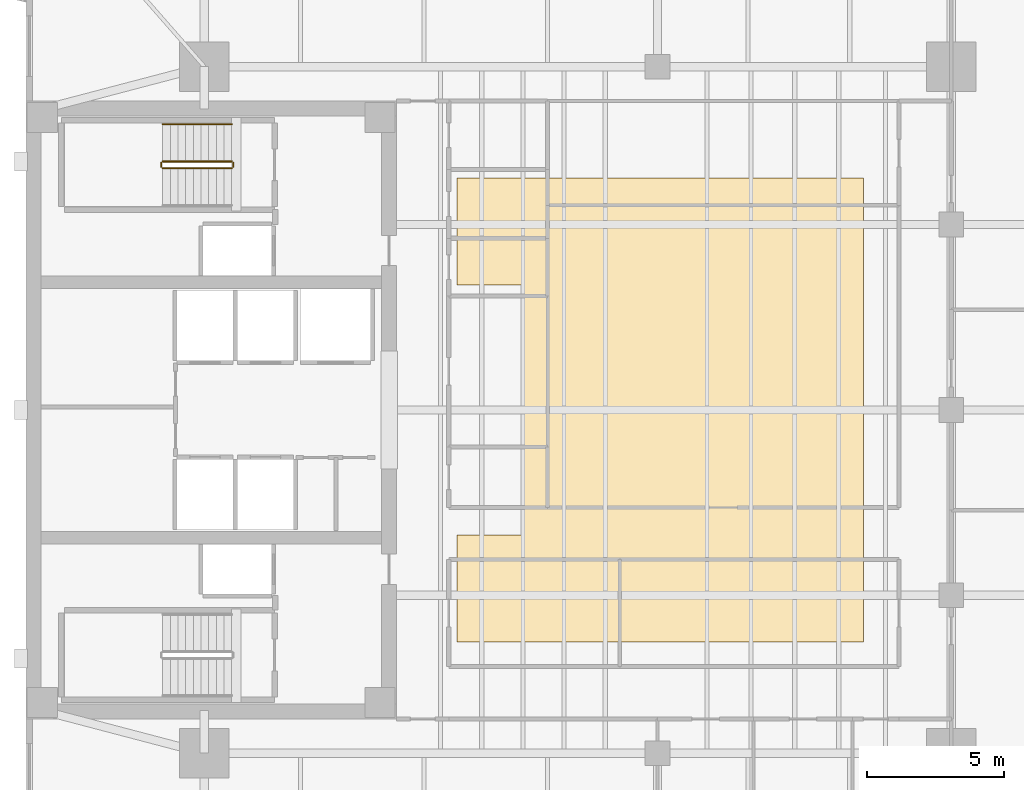
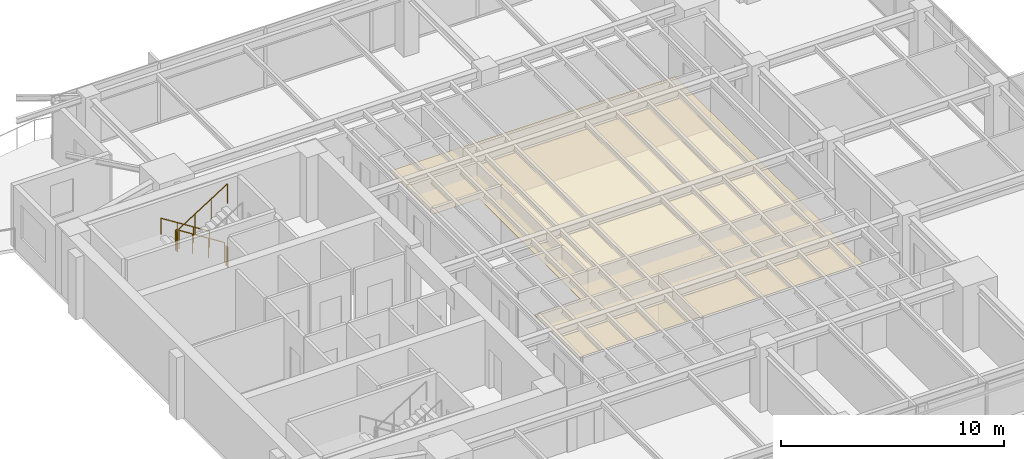
# One storey, part 13 of 14: 5 railings, 1 covering.
"""IFC4 building model written with IfcOpenShell, lengths in metres."""

from ifc_helpers import new_model, si_unit, direction, frame, origin, origin_2d, place, context, subcontext, project, spatial, polyline, circle, outline, extrude, material, layer, layer_set, type_object, element, save


model = new_model("IFC4")

# Units and contexts
model_context = context("Model", 3, precision=1e-05, world=origin(), true_north=direction((0.0, 1.0)))
body_context = subcontext(model_context, "Body", "Model", "MODEL_VIEW")
ifc_project = project(units=[si_unit("LENGTHUNIT", "METRE"), si_unit("AREAUNIT", "SQUARE_METRE"), si_unit("VOLUMEUNIT", "CUBIC_METRE"), si_unit("PLANEANGLEUNIT", "RADIAN"), si_unit("MASSUNIT", "GRAM", prefix="KILO")], contexts=[model_context])

# Site, building, storey
site_placement = place(None, origin())
site = spatial("IfcSite", under=ifc_project, at=site_placement, CompositionType="ELEMENT")
building_placement = place(site_placement, origin())
building = spatial("IfcBuilding", under=site, at=building_placement, Name="Kinhvarn Gate Tower", CompositionType="ELEMENT")
storey_placement = place(building_placement, frame((0.0, 0.0, 227.10009765625)))
storey = spatial("IfcBuildingStorey", under=building, at=storey_placement, Name="L60", CompositionType="ELEMENT", Elevation=227.10009765625)

# Covering
ifc_material_1 = material(Name="Mineral-fibre acoustic ceiling tile")
ifc_layer = layer(ifc_material_1, 0.02001953125)
ifc_layer_set = layer_set([ifc_layer], Name="Mineral-fibre acoustic ceiling tile")
covering_type = type_object("IfcCoveringType", Name="COV-CEIL-20", PredefinedType="CEILING", material=ifc_layer_set)
covering_placement = place(storey_placement, frame((0.0, 0.0, 2.64990234375)))
element("IfcCovering", 1, at=covering_placement, inside=storey, type_object=covering_type, Name="Suspended Acoustic Ceiling Tile (L60-1)", PredefinedType="CEILING", context=body_context, shape_type="SweptSolid", body=[
    extrude(outline(polyline([(35.0, 33.699951171875), (35.0, 16.800048828125), (20.199951171875, 16.800048828125), (20.199951171875, 20.699951171875), (22.60009765625, 20.699951171875), (22.60009765625, 29.800048828125), (20.199951171875, 29.800048828125), (20.199951171875, 33.699951171875), (35.0, 33.699951171875)])), origin(), (0.0, 0.0, 1.0), 0.02001953125),
])

# Railings
ifc_material_2 = material(Name="Steel S355", Category="steel")
railing_type_1 = type_object("IfcRailingType", Name="RL-ST-GRD", PredefinedType="BALUSTRADE", material=ifc_material_2)
railing_1_placement = place(storey_placement, frame((12.0, 34.300048828125, 0.177490234375)))
element("IfcRailing", 2, at=railing_1_placement, inside=storey, type_object=railing_type_1, Name="L60 ST2 stair guard 1", PredefinedType="BALUSTRADE", context=body_context, shape_type="SweptSolid", body=[
    extrude(circle(Radius=0.02392578125, at=origin_2d()), frame((0.0, 0.0, 1.076171875), z_axis=(-0.84460694969, 0.0, 0.535386869969), x_axis=(0.0, -1.0, 0.0)), (0.0, 0.0, 1.0), 2.983642578125),
    extrude(circle(Radius=0.02099609375, at=origin_2d()), origin(), (0.0, 0.0, 1.0), 1.052001953125),
    extrude(circle(Radius=0.02099609375, at=origin_2d()), frame((-0.840087890625, 0.0, 0.532470703125)), (0.0, 0.0, 1.0), 1.052001953125),
    extrude(circle(Radius=0.02099609375, at=origin_2d()), frame((-1.679931640625, 0.0, 1.06494140625)), (0.0, 0.0, 1.0), 1.052001953125),
    extrude(circle(Radius=0.02099609375, at=origin_2d()), frame((-2.52001953125, 0.0, 1.597412109375)), (0.0, 0.0, 1.0), 1.052001953125),
])
railing_2_placement = place(storey_placement, frame((9.429931640625, 34.25, 1.77490234375)))
element("IfcRailing", 3, at=railing_2_placement, inside=storey, type_object=railing_type_1, Name="L60 ST2 stair guard 2", PredefinedType="BALUSTRADE", context=body_context, shape_type="SweptSolid", body=[
    extrude(circle(Radius=0.02392578125, at=origin_2d()), frame((0.0, 0.0, 1.076171875), z_axis=(0.0, -1.0, 0.0), x_axis=(1.0, 0.0, 0.0)), (0.0, 0.0, 1.0), 0.14990234375),
    extrude(circle(Radius=0.02099609375, at=origin_2d()), origin(), (0.0, 0.0, 1.0), 1.052001953125),
    extrude(circle(Radius=0.02099609375, at=origin_2d()), frame((0.0, -0.14990234375, 0.0)), (0.0, 0.0, 1.0), 1.052001953125),
])
railing_3_placement = place(storey_placement, frame((9.47998046875, 34.050048828125, 1.952392578125)))
element("IfcRailing", 4, at=railing_3_placement, inside=storey, type_object=railing_type_1, Name="L60 ST2 stair guard 3", PredefinedType="BALUSTRADE", context=body_context, shape_type="SweptSolid", body=[
    extrude(circle(Radius=0.02392578125, at=origin_2d()), frame((0.0, 0.0, 1.076171875), z_axis=(0.84460694969, 0.0, 0.535386869969), x_axis=(0.0, 1.0, 0.0)), (0.0, 0.0, 1.0), 2.983642578125),
    extrude(circle(Radius=0.02099609375, at=origin_2d()), origin(), (0.0, 0.0, 1.0), 1.052001953125),
    extrude(circle(Radius=0.02099609375, at=origin_2d()), frame((0.840087890625, 0.0, 0.532470703125)), (0.0, 0.0, 1.0), 1.052001953125),
    extrude(circle(Radius=0.02099609375, at=origin_2d()), frame((1.679931640625, 0.0, 1.06494140625)), (0.0, 0.0, 1.0), 1.052001953125),
    extrude(circle(Radius=0.02099609375, at=origin_2d()), frame((2.52001953125, 0.0, 1.597412109375)), (0.0, 0.0, 1.0), 1.052001953125),
])
railing_4_placement = place(storey_placement, frame((12.050048828125, 34.25, 0.0)))
element("IfcRailing", 5, at=railing_4_placement, inside=storey, type_object=railing_type_1, Name="L60 ST2 stair guard 4", PredefinedType="BALUSTRADE", context=body_context, shape_type="SweptSolid", body=[
    extrude(circle(Radius=0.02392578125, at=origin_2d()), frame((0.0, 0.0, 1.076171875), z_axis=(0.0, -1.0, 0.0), x_axis=(1.0, 0.0, 0.0)), (0.0, 0.0, 1.0), 0.14990234375),
    extrude(circle(Radius=0.02099609375, at=origin_2d()), origin(), (0.0, 0.0, 1.0), 1.052001953125),
    extrude(circle(Radius=0.02099609375, at=origin_2d()), frame((0.0, -0.14990234375, 0.0)), (0.0, 0.0, 1.0), 1.052001953125),
])
railing_type_2 = type_object("IfcRailingType", Name="RL-ST-HND", PredefinedType="HANDRAIL", material=ifc_material_2)
railing_5_placement = place(storey_placement, frame((12.0, 35.64990234375, 0.177490234375)))
element("IfcRailing", 6, at=railing_5_placement, inside=storey, type_object=railing_type_2, Name="L60 ST2 stair handrail 1", PredefinedType="HANDRAIL", context=body_context, shape_type="SweptSolid", body=[
    extrude(circle(Radius=0.02392578125, at=origin_2d()), frame((0.0, 0.0, 0.8759765625), z_axis=(-0.84460694969, 0.0, 0.535386869969), x_axis=(0.0, -1.0, 0.0)), (0.0, 0.0, 1.0), 2.983642578125),
    extrude(circle(Radius=0.02099609375, at=origin_2d()), origin(), (0.0, 0.0, 1.0), 0.851806640625),
    extrude(circle(Radius=0.02099609375, at=origin_2d()), frame((-0.840087890625, 0.0, 0.532470703125)), (0.0, 0.0, 1.0), 0.851806640625),
    extrude(circle(Radius=0.02099609375, at=origin_2d()), frame((-1.679931640625, 0.0, 1.06494140625)), (0.0, 0.0, 1.0), 0.851806640625),
    extrude(circle(Radius=0.02099609375, at=origin_2d()), frame((-2.52001953125, 0.0, 1.597412109375)), (0.0, 0.0, 1.0), 0.851806640625),
])

save(model, "model.ifc")
